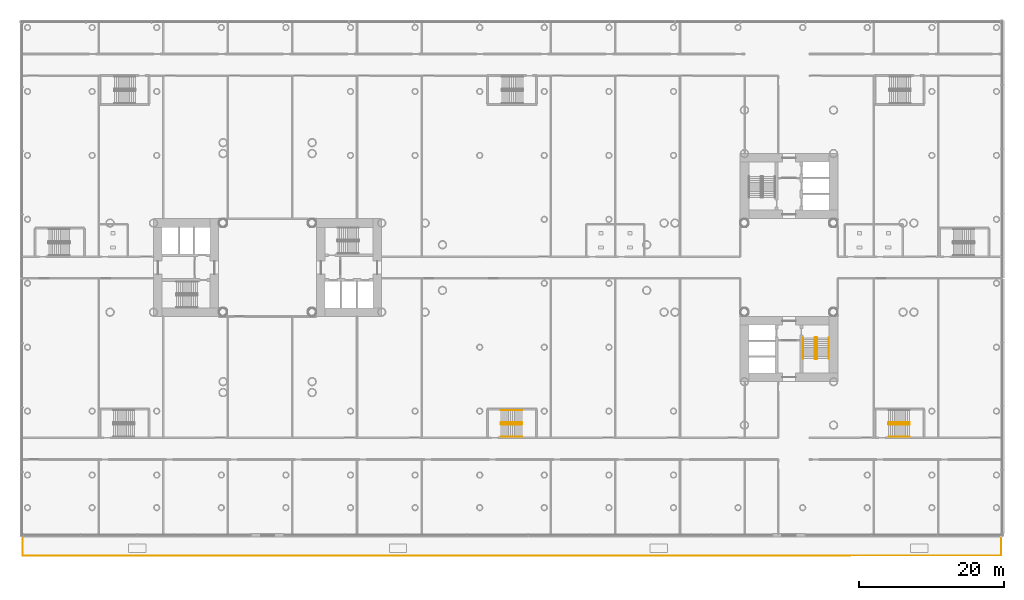
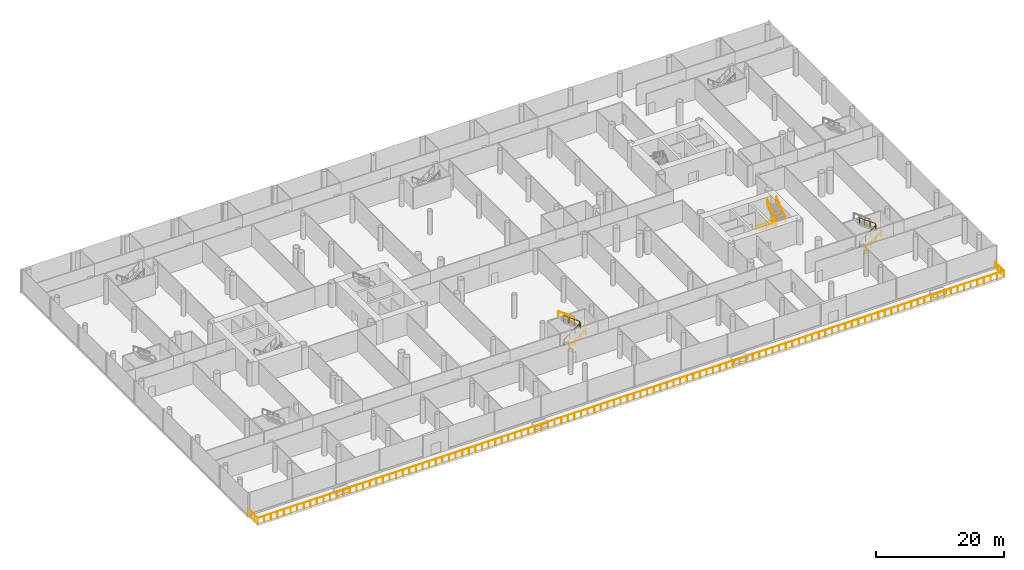
# One storey, part 47 of 49: 9 railings.
"""IFC4 building model written with IfcOpenShell, lengths in metres."""

from ifc_helpers import new_model, si_unit, direction, frame, origin, origin_2d, place, context, subcontext, project, spatial, circle, extrude, material, type_object, element, save


model = new_model("IFC4")

# Units and contexts
model_context = context("Model", 3, precision=1e-05, world=origin(), true_north=direction((0.0, 1.0)))
body_context = subcontext(model_context, "Body", "Model", "MODEL_VIEW")
ifc_project = project(units=[si_unit("LENGTHUNIT", "METRE"), si_unit("AREAUNIT", "SQUARE_METRE"), si_unit("VOLUMEUNIT", "CUBIC_METRE"), si_unit("PLANEANGLEUNIT", "RADIAN"), si_unit("MASSUNIT", "GRAM", prefix="KILO")], contexts=[model_context])

# Site, building, storey
site_placement = place(None, origin())
site = spatial("IfcSite", under=ifc_project, at=site_placement, CompositionType="ELEMENT")
building_placement = place(site_placement, origin())
building = spatial("IfcBuilding", under=site, at=building_placement, Name="Ipe Terrace Towers", CompositionType="ELEMENT")
storey_placement = place(building_placement, frame((0.0, 0.0, 11.0)))
storey = spatial("IfcBuildingStorey", under=building, at=storey_placement, Name="L02", CompositionType="ELEMENT", Elevation=11.0)

# Railings
ifc_material_1 = material(Name="Stainless steel S316", Category="steel")
railing_type_1 = type_object("IfcRailingType", Name="ROOF GUARD 1200", PredefinedType="BALUSTRADE", material=ifc_material_1)
railing_1_placement = place(storey_placement, frame((65.300048828125, -37.070068359375, -0.02001953125)))
element("IfcRailing", 1, at=railing_1_placement, inside=storey, type_object=railing_type_1, Name="roof guard", PredefinedType="BALUSTRADE", context=body_context, shape_type="SweptSolid", body=[
    extrude(circle(Radius=0.02392578125, at=origin_2d()), frame((0.0, 0.0, 1.17578125), z_axis=(0.0, -1.0, 0.0), x_axis=(1.0, 0.0, 0.0)), (0.0, 0.0, 1.0), 2.72998046875),
    extrude(circle(Radius=0.02392578125, at=origin_2d()), frame((0.0, -2.72998046875, 1.17578125), z_axis=(-1.0, 0.0, 0.0), x_axis=(0.0, -1.0, 0.0)), (0.0, 0.0, 1.0), 135.10009765625),
    extrude(circle(Radius=0.02392578125, at=origin_2d()), frame((-135.10009765625, -2.72998046875, 1.17578125), z_axis=(0.0, 1.0, 0.0), x_axis=(-1.0, 0.0, 0.0)), (0.0, 0.0, 1.0), 2.72998046875),
    extrude(circle(Radius=0.02099609375, at=origin_2d()), origin(), (0.0, 0.0, 1.0), 1.15185546875),
    extrude(circle(Radius=0.02099609375, at=origin_2d()), frame((0.0, -0.909912109375, 0.0)), (0.0, 0.0, 1.0), 1.15185546875),
    extrude(circle(Radius=0.02099609375, at=origin_2d()), frame((0.0, -1.820068359375, 0.0)), (0.0, 0.0, 1.0), 1.15185546875),
    extrude(circle(Radius=0.02099609375, at=origin_2d()), frame((0.0, -2.72998046875, 0.0)), (0.0, 0.0, 1.0), 1.15185546875),
    extrude(circle(Radius=0.02099609375, at=origin_2d()), frame((-1.195556640625, -2.72998046875, 0.0)), (0.0, 0.0, 1.0), 1.15185546875),
    extrude(circle(Radius=0.02099609375, at=origin_2d()), frame((-2.39111328125, -2.72998046875, 0.0)), (0.0, 0.0, 1.0), 1.15185546875),
    extrude(circle(Radius=0.02099609375, at=origin_2d()), frame((-3.586669921875, -2.72998046875, 0.0)), (0.0, 0.0, 1.0), 1.15185546875),
    extrude(circle(Radius=0.02099609375, at=origin_2d()), frame((-4.7822265625, -2.72998046875, 0.0)), (0.0, 0.0, 1.0), 1.15185546875),
    extrude(circle(Radius=0.02099609375, at=origin_2d()), frame((-5.977783203125, -2.72998046875, 0.0)), (0.0, 0.0, 1.0), 1.15185546875),
    extrude(circle(Radius=0.02099609375, at=origin_2d()), frame((-7.17333984375, -2.72998046875, 0.0)), (0.0, 0.0, 1.0), 1.15185546875),
    extrude(circle(Radius=0.02099609375, at=origin_2d()), frame((-8.369140625, -2.72998046875, 0.0)), (0.0, 0.0, 1.0), 1.15185546875),
    extrude(circle(Radius=0.02099609375, at=origin_2d()), frame((-9.564697265625, -2.72998046875, 0.0)), (0.0, 0.0, 1.0), 1.15185546875),
    extrude(circle(Radius=0.02099609375, at=origin_2d()), frame((-10.76025390625, -2.72998046875, 0.0)), (0.0, 0.0, 1.0), 1.15185546875),
    extrude(circle(Radius=0.02099609375, at=origin_2d()), frame((-11.955810546875, -2.72998046875, 0.0)), (0.0, 0.0, 1.0), 1.15185546875),
    extrude(circle(Radius=0.02099609375, at=origin_2d()), frame((-13.1513671875, -2.72998046875, 0.0)), (0.0, 0.0, 1.0), 1.15185546875),
    extrude(circle(Radius=0.02099609375, at=origin_2d()), frame((-14.346923828125, -2.72998046875, 0.0)), (0.0, 0.0, 1.0), 1.15185546875),
    extrude(circle(Radius=0.02099609375, at=origin_2d()), frame((-15.54248046875, -2.72998046875, 0.0)), (0.0, 0.0, 1.0), 1.15185546875),
    extrude(circle(Radius=0.02099609375, at=origin_2d()), frame((-16.738037109375, -2.72998046875, 0.0)), (0.0, 0.0, 1.0), 1.15185546875),
    extrude(circle(Radius=0.02099609375, at=origin_2d()), frame((-17.93359375, -2.72998046875, 0.0)), (0.0, 0.0, 1.0), 1.15185546875),
    extrude(circle(Radius=0.02099609375, at=origin_2d()), frame((-19.129150390625, -2.72998046875, 0.0)), (0.0, 0.0, 1.0), 1.15185546875),
    extrude(circle(Radius=0.02099609375, at=origin_2d()), frame((-20.32470703125, -2.72998046875, 0.0)), (0.0, 0.0, 1.0), 1.15185546875),
    extrude(circle(Radius=0.02099609375, at=origin_2d()), frame((-21.520263671875, -2.72998046875, 0.0)), (0.0, 0.0, 1.0), 1.15185546875),
    extrude(circle(Radius=0.02099609375, at=origin_2d()), frame((-22.716064453125, -2.72998046875, 0.0)), (0.0, 0.0, 1.0), 1.15185546875),
    extrude(circle(Radius=0.02099609375, at=origin_2d()), frame((-23.91162109375, -2.72998046875, 0.0)), (0.0, 0.0, 1.0), 1.15185546875),
    extrude(circle(Radius=0.02099609375, at=origin_2d()), frame((-25.107177734375, -2.72998046875, 0.0)), (0.0, 0.0, 1.0), 1.15185546875),
    extrude(circle(Radius=0.02099609375, at=origin_2d()), frame((-26.302734375, -2.72998046875, 0.0)), (0.0, 0.0, 1.0), 1.15185546875),
    extrude(circle(Radius=0.02099609375, at=origin_2d()), frame((-27.498291015625, -2.72998046875, 0.0)), (0.0, 0.0, 1.0), 1.15185546875),
    extrude(circle(Radius=0.02099609375, at=origin_2d()), frame((-28.69384765625, -2.72998046875, 0.0)), (0.0, 0.0, 1.0), 1.15185546875),
    extrude(circle(Radius=0.02099609375, at=origin_2d()), frame((-29.889404296875, -2.72998046875, 0.0)), (0.0, 0.0, 1.0), 1.15185546875),
    extrude(circle(Radius=0.02099609375, at=origin_2d()), frame((-31.0849609375, -2.72998046875, 0.0)), (0.0, 0.0, 1.0), 1.15185546875),
    extrude(circle(Radius=0.02099609375, at=origin_2d()), frame((-32.280517578125, -2.72998046875, 0.0)), (0.0, 0.0, 1.0), 1.15185546875),
    extrude(circle(Radius=0.02099609375, at=origin_2d()), frame((-33.47607421875, -2.72998046875, 0.0)), (0.0, 0.0, 1.0), 1.15185546875),
    extrude(circle(Radius=0.02099609375, at=origin_2d()), frame((-34.671630859375, -2.72998046875, 0.0)), (0.0, 0.0, 1.0), 1.15185546875),
    extrude(circle(Radius=0.02099609375, at=origin_2d()), frame((-35.8671875, -2.72998046875, 0.0)), (0.0, 0.0, 1.0), 1.15185546875),
    extrude(circle(Radius=0.02099609375, at=origin_2d()), frame((-37.062744140625, -2.72998046875, 0.0)), (0.0, 0.0, 1.0), 1.15185546875),
    extrude(circle(Radius=0.02099609375, at=origin_2d()), frame((-38.258544921875, -2.72998046875, 0.0)), (0.0, 0.0, 1.0), 1.15185546875),
    extrude(circle(Radius=0.02099609375, at=origin_2d()), frame((-39.4541015625, -2.72998046875, 0.0)), (0.0, 0.0, 1.0), 1.15185546875),
    extrude(circle(Radius=0.02099609375, at=origin_2d()), frame((-40.649658203125, -2.72998046875, 0.0)), (0.0, 0.0, 1.0), 1.15185546875),
    extrude(circle(Radius=0.02099609375, at=origin_2d()), frame((-41.84521484375, -2.72998046875, 0.0)), (0.0, 0.0, 1.0), 1.15185546875),
    extrude(circle(Radius=0.02099609375, at=origin_2d()), frame((-43.040771484375, -2.72998046875, 0.0)), (0.0, 0.0, 1.0), 1.15185546875),
    extrude(circle(Radius=0.02099609375, at=origin_2d()), frame((-44.236328125, -2.72998046875, 0.0)), (0.0, 0.0, 1.0), 1.15185546875),
    extrude(circle(Radius=0.02099609375, at=origin_2d()), frame((-45.431884765625, -2.72998046875, 0.0)), (0.0, 0.0, 1.0), 1.15185546875),
    extrude(circle(Radius=0.02099609375, at=origin_2d()), frame((-46.62744140625, -2.72998046875, 0.0)), (0.0, 0.0, 1.0), 1.15185546875),
    extrude(circle(Radius=0.02099609375, at=origin_2d()), frame((-47.822998046875, -2.72998046875, 0.0)), (0.0, 0.0, 1.0), 1.15185546875),
    extrude(circle(Radius=0.02099609375, at=origin_2d()), frame((-49.0185546875, -2.72998046875, 0.0)), (0.0, 0.0, 1.0), 1.15185546875),
    extrude(circle(Radius=0.02099609375, at=origin_2d()), frame((-50.214111328125, -2.72998046875, 0.0)), (0.0, 0.0, 1.0), 1.15185546875),
    extrude(circle(Radius=0.02099609375, at=origin_2d()), frame((-51.40966796875, -2.72998046875, 0.0)), (0.0, 0.0, 1.0), 1.15185546875),
    extrude(circle(Radius=0.02099609375, at=origin_2d()), frame((-52.60546875, -2.72998046875, 0.0)), (0.0, 0.0, 1.0), 1.15185546875),
    extrude(circle(Radius=0.02099609375, at=origin_2d()), frame((-53.801025390625, -2.72998046875, 0.0)), (0.0, 0.0, 1.0), 1.15185546875),
    extrude(circle(Radius=0.02099609375, at=origin_2d()), frame((-54.99658203125, -2.72998046875, 0.0)), (0.0, 0.0, 1.0), 1.15185546875),
    extrude(circle(Radius=0.02099609375, at=origin_2d()), frame((-56.192138671875, -2.72998046875, 0.0)), (0.0, 0.0, 1.0), 1.15185546875),
    extrude(circle(Radius=0.02099609375, at=origin_2d()), frame((-57.3876953125, -2.72998046875, 0.0)), (0.0, 0.0, 1.0), 1.15185546875),
    extrude(circle(Radius=0.02099609375, at=origin_2d()), frame((-58.583251953125, -2.72998046875, 0.0)), (0.0, 0.0, 1.0), 1.15185546875),
    extrude(circle(Radius=0.02099609375, at=origin_2d()), frame((-59.77880859375, -2.72998046875, 0.0)), (0.0, 0.0, 1.0), 1.15185546875),
    extrude(circle(Radius=0.02099609375, at=origin_2d()), frame((-60.974365234375, -2.72998046875, 0.0)), (0.0, 0.0, 1.0), 1.15185546875),
    extrude(circle(Radius=0.02099609375, at=origin_2d()), frame((-62.169921875, -2.72998046875, 0.0)), (0.0, 0.0, 1.0), 1.15185546875),
    extrude(circle(Radius=0.02099609375, at=origin_2d()), frame((-63.365478515625, -2.72998046875, 0.0)), (0.0, 0.0, 1.0), 1.15185546875),
    extrude(circle(Radius=0.02099609375, at=origin_2d()), frame((-64.56103515625, -2.72998046875, 0.0)), (0.0, 0.0, 1.0), 1.15185546875),
    extrude(circle(Radius=0.02099609375, at=origin_2d()), frame((-65.756591796875, -2.72998046875, 0.0)), (0.0, 0.0, 1.0), 1.15185546875),
    extrude(circle(Radius=0.02099609375, at=origin_2d()), frame((-66.9521484375, -2.72998046875, 0.0)), (0.0, 0.0, 1.0), 1.15185546875),
    extrude(circle(Radius=0.02099609375, at=origin_2d()), frame((-68.14794921875, -2.72998046875, 0.0)), (0.0, 0.0, 1.0), 1.15185546875),
    extrude(circle(Radius=0.02099609375, at=origin_2d()), frame((-69.343505859375, -2.72998046875, 0.0)), (0.0, 0.0, 1.0), 1.15185546875),
    extrude(circle(Radius=0.02099609375, at=origin_2d()), frame((-70.5390625, -2.72998046875, 0.0)), (0.0, 0.0, 1.0), 1.15185546875),
    extrude(circle(Radius=0.02099609375, at=origin_2d()), frame((-71.734619140625, -2.72998046875, 0.0)), (0.0, 0.0, 1.0), 1.15185546875),
    extrude(circle(Radius=0.02099609375, at=origin_2d()), frame((-72.93017578125, -2.72998046875, 0.0)), (0.0, 0.0, 1.0), 1.15185546875),
    extrude(circle(Radius=0.02099609375, at=origin_2d()), frame((-74.125732421875, -2.72998046875, 0.0)), (0.0, 0.0, 1.0), 1.15185546875),
    extrude(circle(Radius=0.02099609375, at=origin_2d()), frame((-75.3212890625, -2.72998046875, 0.0)), (0.0, 0.0, 1.0), 1.15185546875),
    extrude(circle(Radius=0.02099609375, at=origin_2d()), frame((-76.516845703125, -2.72998046875, 0.0)), (0.0, 0.0, 1.0), 1.15185546875),
    extrude(circle(Radius=0.02099609375, at=origin_2d()), frame((-77.71240234375, -2.72998046875, 0.0)), (0.0, 0.0, 1.0), 1.15185546875),
    extrude(circle(Radius=0.02099609375, at=origin_2d()), frame((-78.907958984375, -2.72998046875, 0.0)), (0.0, 0.0, 1.0), 1.15185546875),
    extrude(circle(Radius=0.02099609375, at=origin_2d()), frame((-80.103515625, -2.72998046875, 0.0)), (0.0, 0.0, 1.0), 1.15185546875),
    extrude(circle(Radius=0.02099609375, at=origin_2d()), frame((-81.299072265625, -2.72998046875, 0.0)), (0.0, 0.0, 1.0), 1.15185546875),
    extrude(circle(Radius=0.02099609375, at=origin_2d()), frame((-82.49462890625, -2.72998046875, 0.0)), (0.0, 0.0, 1.0), 1.15185546875),
    extrude(circle(Radius=0.02099609375, at=origin_2d()), frame((-83.6904296875, -2.72998046875, 0.0)), (0.0, 0.0, 1.0), 1.15185546875),
    extrude(circle(Radius=0.02099609375, at=origin_2d()), frame((-84.885986328125, -2.72998046875, 0.0)), (0.0, 0.0, 1.0), 1.15185546875),
    extrude(circle(Radius=0.02099609375, at=origin_2d()), frame((-86.08154296875, -2.72998046875, 0.0)), (0.0, 0.0, 1.0), 1.15185546875),
    extrude(circle(Radius=0.02099609375, at=origin_2d()), frame((-87.277099609375, -2.72998046875, 0.0)), (0.0, 0.0, 1.0), 1.15185546875),
    extrude(circle(Radius=0.02099609375, at=origin_2d()), frame((-88.47265625, -2.72998046875, 0.0)), (0.0, 0.0, 1.0), 1.15185546875),
    extrude(circle(Radius=0.02099609375, at=origin_2d()), frame((-89.668212890625, -2.72998046875, 0.0)), (0.0, 0.0, 1.0), 1.15185546875),
    extrude(circle(Radius=0.02099609375, at=origin_2d()), frame((-90.86376953125, -2.72998046875, 0.0)), (0.0, 0.0, 1.0), 1.15185546875),
    extrude(circle(Radius=0.02099609375, at=origin_2d()), frame((-92.059326171875, -2.72998046875, 0.0)), (0.0, 0.0, 1.0), 1.15185546875),
    extrude(circle(Radius=0.02099609375, at=origin_2d()), frame((-93.2548828125, -2.72998046875, 0.0)), (0.0, 0.0, 1.0), 1.15185546875),
    extrude(circle(Radius=0.02099609375, at=origin_2d()), frame((-94.450439453125, -2.72998046875, 0.0)), (0.0, 0.0, 1.0), 1.15185546875),
    extrude(circle(Radius=0.02099609375, at=origin_2d()), frame((-95.64599609375, -2.72998046875, 0.0)), (0.0, 0.0, 1.0), 1.15185546875),
    extrude(circle(Radius=0.02099609375, at=origin_2d()), frame((-96.841552734375, -2.72998046875, 0.0)), (0.0, 0.0, 1.0), 1.15185546875),
    extrude(circle(Radius=0.02099609375, at=origin_2d()), frame((-98.037353515625, -2.72998046875, 0.0)), (0.0, 0.0, 1.0), 1.15185546875),
    extrude(circle(Radius=0.02099609375, at=origin_2d()), frame((-99.23291015625, -2.72998046875, 0.0)), (0.0, 0.0, 1.0), 1.15185546875),
    extrude(circle(Radius=0.02099609375, at=origin_2d()), frame((-100.428466796875, -2.72998046875, 0.0)), (0.0, 0.0, 1.0), 1.15185546875),
    extrude(circle(Radius=0.02099609375, at=origin_2d()), frame((-101.6240234375, -2.72998046875, 0.0)), (0.0, 0.0, 1.0), 1.15185546875),
    extrude(circle(Radius=0.02099609375, at=origin_2d()), frame((-102.819580078125, -2.72998046875, 0.0)), (0.0, 0.0, 1.0), 1.15185546875),
    extrude(circle(Radius=0.02099609375, at=origin_2d()), frame((-104.01513671875, -2.72998046875, 0.0)), (0.0, 0.0, 1.0), 1.15185546875),
    extrude(circle(Radius=0.02099609375, at=origin_2d()), frame((-105.210693359375, -2.72998046875, 0.0)), (0.0, 0.0, 1.0), 1.15185546875),
    extrude(circle(Radius=0.02099609375, at=origin_2d()), frame((-106.40625, -2.72998046875, 0.0)), (0.0, 0.0, 1.0), 1.15185546875),
    extrude(circle(Radius=0.02099609375, at=origin_2d()), frame((-107.601806640625, -2.72998046875, 0.0)), (0.0, 0.0, 1.0), 1.15185546875),
    extrude(circle(Radius=0.02099609375, at=origin_2d()), frame((-108.79736328125, -2.72998046875, 0.0)), (0.0, 0.0, 1.0), 1.15185546875),
    extrude(circle(Radius=0.02099609375, at=origin_2d()), frame((-109.992919921875, -2.72998046875, 0.0)), (0.0, 0.0, 1.0), 1.15185546875),
    extrude(circle(Radius=0.02099609375, at=origin_2d()), frame((-111.1884765625, -2.72998046875, 0.0)), (0.0, 0.0, 1.0), 1.15185546875),
    extrude(circle(Radius=0.02099609375, at=origin_2d()), frame((-112.384033203125, -2.72998046875, 0.0)), (0.0, 0.0, 1.0), 1.15185546875),
    extrude(circle(Radius=0.02099609375, at=origin_2d()), frame((-113.579833984375, -2.72998046875, 0.0)), (0.0, 0.0, 1.0), 1.15185546875),
    extrude(circle(Radius=0.02099609375, at=origin_2d()), frame((-114.775390625, -2.72998046875, 0.0)), (0.0, 0.0, 1.0), 1.15185546875),
    extrude(circle(Radius=0.02099609375, at=origin_2d()), frame((-115.970947265625, -2.72998046875, 0.0)), (0.0, 0.0, 1.0), 1.15185546875),
    extrude(circle(Radius=0.02099609375, at=origin_2d()), frame((-117.16650390625, -2.72998046875, 0.0)), (0.0, 0.0, 1.0), 1.15185546875),
    extrude(circle(Radius=0.02099609375, at=origin_2d()), frame((-118.362060546875, -2.72998046875, 0.0)), (0.0, 0.0, 1.0), 1.15185546875),
    extrude(circle(Radius=0.02099609375, at=origin_2d()), frame((-119.5576171875, -2.72998046875, 0.0)), (0.0, 0.0, 1.0), 1.15185546875),
    extrude(circle(Radius=0.02099609375, at=origin_2d()), frame((-120.753173828125, -2.72998046875, 0.0)), (0.0, 0.0, 1.0), 1.15185546875),
    extrude(circle(Radius=0.02099609375, at=origin_2d()), frame((-121.94873046875, -2.72998046875, 0.0)), (0.0, 0.0, 1.0), 1.15185546875),
    extrude(circle(Radius=0.02099609375, at=origin_2d()), frame((-123.144287109375, -2.72998046875, 0.0)), (0.0, 0.0, 1.0), 1.15185546875),
    extrude(circle(Radius=0.02099609375, at=origin_2d()), frame((-124.33984375, -2.72998046875, 0.0)), (0.0, 0.0, 1.0), 1.15185546875),
    extrude(circle(Radius=0.02099609375, at=origin_2d()), frame((-125.535400390625, -2.72998046875, 0.0)), (0.0, 0.0, 1.0), 1.15185546875),
    extrude(circle(Radius=0.02099609375, at=origin_2d()), frame((-126.73095703125, -2.72998046875, 0.0)), (0.0, 0.0, 1.0), 1.15185546875),
    extrude(circle(Radius=0.02099609375, at=origin_2d()), frame((-127.9267578125, -2.72998046875, 0.0)), (0.0, 0.0, 1.0), 1.15185546875),
    extrude(circle(Radius=0.02099609375, at=origin_2d()), frame((-129.122314453125, -2.72998046875, 0.0)), (0.0, 0.0, 1.0), 1.15185546875),
    extrude(circle(Radius=0.02099609375, at=origin_2d()), frame((-130.31787109375, -2.72998046875, 0.0)), (0.0, 0.0, 1.0), 1.15185546875),
    extrude(circle(Radius=0.02099609375, at=origin_2d()), frame((-131.513427734375, -2.72998046875, 0.0)), (0.0, 0.0, 1.0), 1.15185546875),
    extrude(circle(Radius=0.02099609375, at=origin_2d()), frame((-132.708984375, -2.72998046875, 0.0)), (0.0, 0.0, 1.0), 1.15185546875),
    extrude(circle(Radius=0.02099609375, at=origin_2d()), frame((-133.904541015625, -2.72998046875, 0.0)), (0.0, 0.0, 1.0), 1.15185546875),
    extrude(circle(Radius=0.02099609375, at=origin_2d()), frame((-135.10009765625, -2.72998046875, 0.0)), (0.0, 0.0, 1.0), 1.15185546875),
    extrude(circle(Radius=0.02099609375, at=origin_2d()), frame((-135.10009765625, -1.820068359375, 0.0)), (0.0, 0.0, 1.0), 1.15185546875),
    extrude(circle(Radius=0.02099609375, at=origin_2d()), frame((-135.10009765625, -0.909912109375, 0.0)), (0.0, 0.0, 1.0), 1.15185546875),
    extrude(circle(Radius=0.02099609375, at=origin_2d()), frame((-135.10009765625, 0.0, 0.0)), (0.0, 0.0, 1.0), 1.15185546875),
])
ifc_material_2 = material(Name="Steel S355", Category="steel")
railing_type_2 = type_object("IfcRailingType", Name="Stair guard 1100", PredefinedType="GUARDRAIL", material=ifc_material_2)
railing_2_placement = place(storey_placement, frame((39.800048828125, -9.64990234375, 0.0)))
element("IfcRailing", 2, at=railing_2_placement, inside=storey, type_object=railing_type_2, Name="L02 T2-ST2 stair guard 1", PredefinedType="GUARDRAIL", context=body_context, shape_type="SweptSolid", body=[
    extrude(circle(Radius=0.02392578125, at=origin_2d()), frame((0.0, 0.0, 1.076171875), z_axis=(-1.0, 0.0, 0.0), x_axis=(0.0, -1.0, 0.0)), (0.0, 0.0, 1.0), 0.150146484375),
    extrude(circle(Radius=0.02392578125, at=origin_2d()), frame((-0.150146484375, 0.0, 1.076171875), z_axis=(-0.248583702486, -0.249802250048, 0.935844527007), x_axis=(0.708833529934, -0.705375805398, 0.0)), (0.0, 0.0, 1.0), 0.200439453125),
    extrude(circle(Radius=0.02392578125, at=origin_2d()), frame((-0.199951171875, -0.050048828125, 1.263671875), z_axis=(0.0, -0.811100754333, 0.584906459462), x_axis=(1.0, 0.0, 0.0)), (0.0, 0.0, 1.0), 3.526123046875),
    extrude(circle(Radius=0.02392578125, at=origin_2d()), frame((-0.199951171875, -2.91015625, 3.326171875), z_axis=(0.705375805398, -0.708833529934, 0.0), x_axis=(0.708833529934, 0.705375805398, 0.0)), (0.0, 0.0, 1.0), 0.070556640625),
    extrude(circle(Radius=0.02392578125, at=origin_2d()), frame((-0.150146484375, -2.960205078125, 3.326171875), z_axis=(1.0, 0.0, 0.0), x_axis=(0.0, 1.0, 0.0)), (0.0, 0.0, 1.0), 0.150146484375),
    extrude(circle(Radius=0.02392578125, at=origin_2d()), frame((0.0, -2.960205078125, 3.326171875), z_axis=(0.249726431254, 0.249726431254, 0.935560483917), x_axis=(-0.707106781187, 0.707106781187, 0.0)), (0.0, 0.0, 1.0), 0.200439453125),
    extrude(circle(Radius=0.02392578125, at=origin_2d()), frame((0.050048828125, -2.91015625, 3.513671875), z_axis=(0.0, 0.811100754333, 0.584906459462), x_axis=(-1.0, 0.0, 0.0)), (0.0, 0.0, 1.0), 3.526123046875),
    extrude(circle(Radius=0.02099609375, at=origin_2d()), origin(), (0.0, 0.0, 1.0), 1.052001953125),
    extrude(circle(Radius=0.02099609375, at=origin_2d()), frame((-0.150146484375, 0.0, 0.0)), (0.0, 0.0, 1.0), 1.052001953125),
    extrude(circle(Radius=0.02099609375, at=origin_2d()), frame((-0.199951171875, -0.050048828125, 0.1875)), (0.0, 0.0, 1.0), 1.052001953125),
    extrude(circle(Radius=0.02099609375, at=origin_2d()), frame((-0.199951171875, -1.00341796875, 0.875)), (0.0, 0.0, 1.0), 1.052001953125),
    extrude(circle(Radius=0.02099609375, at=origin_2d()), frame((-0.199951171875, -1.956787109375, 1.5625)), (0.0, 0.0, 1.0), 1.052001953125),
    extrude(circle(Radius=0.02099609375, at=origin_2d()), frame((-0.199951171875, -2.91015625, 2.25)), (0.0, 0.0, 1.0), 1.052001953125),
    extrude(circle(Radius=0.02099609375, at=origin_2d()), frame((-0.150146484375, -2.960205078125, 2.25)), (0.0, 0.0, 1.0), 1.052001953125),
    extrude(circle(Radius=0.02099609375, at=origin_2d()), frame((0.0, -2.960205078125, 2.25)), (0.0, 0.0, 1.0), 1.052001953125),
    extrude(circle(Radius=0.02099609375, at=origin_2d()), frame((0.050048828125, -2.91015625, 2.4375)), (0.0, 0.0, 1.0), 1.052001953125),
    extrude(circle(Radius=0.02099609375, at=origin_2d()), frame((0.050048828125, -1.956787109375, 3.125)), (0.0, 0.0, 1.0), 1.052001953125),
    extrude(circle(Radius=0.02099609375, at=origin_2d()), frame((0.050048828125, -1.00341796875, 3.8125)), (0.0, 0.0, 1.0), 1.052001953125),
    extrude(circle(Radius=0.02099609375, at=origin_2d()), frame((0.050048828125, -0.050048828125, 4.5)), (0.0, 0.0, 1.0), 1.052001953125),
])
railing_3_placement = place(storey_placement, frame((-3.800048828125, -21.449951171875, 0.0)))
element("IfcRailing", 3, at=railing_3_placement, inside=storey, type_object=railing_type_2, Name="L02 PS5 stair guard 1", PredefinedType="GUARDRAIL", context=body_context, shape_type="SweptSolid", body=[
    extrude(circle(Radius=0.02392578125, at=origin_2d()), frame((0.0, 0.0, 1.076171875), z_axis=(0.0, -1.0, 0.0), x_axis=(1.0, 0.0, 0.0)), (0.0, 0.0, 1.0), 0.150146484375),
    extrude(circle(Radius=0.02392578125, at=origin_2d()), frame((0.0, -0.150146484375, 1.076171875), z_axis=(0.249802250048, -0.248583702486, 0.935844527007), x_axis=(0.705375805398, 0.708833529934, 0.0)), (0.0, 0.0, 1.0), 0.200439453125),
    extrude(circle(Radius=0.02392578125, at=origin_2d()), frame((0.050048828125, -0.199951171875, 1.263671875), z_axis=(0.811100754333, 0.0, 0.584906459462), x_axis=(0.0, 1.0, 0.0)), (0.0, 0.0, 1.0), 3.526123046875),
    extrude(circle(Radius=0.02392578125, at=origin_2d()), frame((2.91015625, -0.199951171875, 3.326171875), z_axis=(0.707106781187, 0.707106781187, 0.0), x_axis=(-0.707106781187, 0.707106781187, 0.0)), (0.0, 0.0, 1.0), 0.0703125),
    extrude(circle(Radius=0.02392578125, at=origin_2d()), frame((2.9599609375, -0.150146484375, 3.326171875), z_axis=(0.0, 1.0, 0.0), x_axis=(-1.0, 0.0, 0.0)), (0.0, 0.0, 1.0), 0.150146484375),
    extrude(circle(Radius=0.02392578125, at=origin_2d()), frame((2.9599609375, 0.0, 3.326171875), z_axis=(-0.248583702486, 0.249802250048, 0.935844527007), x_axis=(-0.708833529934, -0.705375805398, 0.0)), (0.0, 0.0, 1.0), 0.200439453125),
    extrude(circle(Radius=0.02392578125, at=origin_2d()), frame((2.91015625, 0.050048828125, 3.513671875), z_axis=(-0.811100754333, 0.0, 0.584906459462), x_axis=(0.0, -1.0, 0.0)), (0.0, 0.0, 1.0), 3.526123046875),
    extrude(circle(Radius=0.02099609375, at=origin_2d()), origin(), (0.0, 0.0, 1.0), 1.052001953125),
    extrude(circle(Radius=0.02099609375, at=origin_2d()), frame((0.0, -0.150146484375, 0.0)), (0.0, 0.0, 1.0), 1.052001953125),
    extrude(circle(Radius=0.02099609375, at=origin_2d()), frame((0.050048828125, -0.199951171875, 0.1875)), (0.0, 0.0, 1.0), 1.052001953125),
    extrude(circle(Radius=0.02099609375, at=origin_2d()), frame((1.00341796875, -0.199951171875, 0.875)), (0.0, 0.0, 1.0), 1.052001953125),
    extrude(circle(Radius=0.02099609375, at=origin_2d()), frame((1.956787109375, -0.199951171875, 1.5625)), (0.0, 0.0, 1.0), 1.052001953125),
    extrude(circle(Radius=0.02099609375, at=origin_2d()), frame((2.91015625, -0.199951171875, 2.25)), (0.0, 0.0, 1.0), 1.052001953125),
    extrude(circle(Radius=0.02099609375, at=origin_2d()), frame((2.9599609375, -0.150146484375, 2.25)), (0.0, 0.0, 1.0), 1.052001953125),
    extrude(circle(Radius=0.02099609375, at=origin_2d()), frame((2.9599609375, 0.0, 2.25)), (0.0, 0.0, 1.0), 1.052001953125),
    extrude(circle(Radius=0.02099609375, at=origin_2d()), frame((2.91015625, 0.050048828125, 2.4375)), (0.0, 0.0, 1.0), 1.052001953125),
    extrude(circle(Radius=0.02099609375, at=origin_2d()), frame((1.956787109375, 0.050048828125, 3.125)), (0.0, 0.0, 1.0), 1.052001953125),
    extrude(circle(Radius=0.02099609375, at=origin_2d()), frame((1.00341796875, 0.050048828125, 3.8125)), (0.0, 0.0, 1.0), 1.052001953125),
    extrude(circle(Radius=0.02099609375, at=origin_2d()), frame((0.050048828125, 0.050048828125, 4.5)), (0.0, 0.0, 1.0), 1.052001953125),
])
railing_4_placement = place(storey_placement, frame((49.719970703125, -21.449951171875, 0.0)))
element("IfcRailing", 4, at=railing_4_placement, inside=storey, type_object=railing_type_2, Name="L02 PS6 stair guard 1", PredefinedType="GUARDRAIL", context=body_context, shape_type="SweptSolid", body=[
    extrude(circle(Radius=0.02392578125, at=origin_2d()), frame((0.0, 0.0, 1.076171875), z_axis=(0.0, -1.0, 0.0), x_axis=(1.0, 0.0, 0.0)), (0.0, 0.0, 1.0), 0.150146484375),
    extrude(circle(Radius=0.02392578125, at=origin_2d()), frame((0.0, -0.150146484375, 1.076171875), z_axis=(0.249802250048, -0.248583702486, 0.935844527007), x_axis=(0.705375805398, 0.708833529934, 0.0)), (0.0, 0.0, 1.0), 0.200439453125),
    extrude(circle(Radius=0.02392578125, at=origin_2d()), frame((0.050048828125, -0.199951171875, 1.263671875), z_axis=(0.811077065594, 0.0, 0.584939307678), x_axis=(0.0, 1.0, 0.0)), (0.0, 0.0, 1.0), 3.526123046875),
    extrude(circle(Radius=0.02392578125, at=origin_2d()), frame((2.909912109375, -0.199951171875, 3.326171875), z_axis=(0.708833529934, 0.705375805398, 0.0), x_axis=(-0.705375805398, 0.708833529934, 0.0)), (0.0, 0.0, 1.0), 0.070556640625),
    extrude(circle(Radius=0.02392578125, at=origin_2d()), frame((2.9599609375, -0.150146484375, 3.326171875), z_axis=(0.0, 1.0, 0.0), x_axis=(-1.0, 0.0, 0.0)), (0.0, 0.0, 1.0), 0.150146484375),
    extrude(circle(Radius=0.02392578125, at=origin_2d()), frame((2.9599609375, 0.0, 3.326171875), z_axis=(-0.249726431254, 0.249726431254, 0.935560483917), x_axis=(-0.707106781187, -0.707106781187, 0.0)), (0.0, 0.0, 1.0), 0.200439453125),
    extrude(circle(Radius=0.02392578125, at=origin_2d()), frame((2.909912109375, 0.050048828125, 3.513671875), z_axis=(-0.811077065594, 0.0, 0.584939307678), x_axis=(0.0, -1.0, 0.0)), (0.0, 0.0, 1.0), 3.526123046875),
    extrude(circle(Radius=0.02099609375, at=origin_2d()), origin(), (0.0, 0.0, 1.0), 1.052001953125),
    extrude(circle(Radius=0.02099609375, at=origin_2d()), frame((0.0, -0.150146484375, 0.0)), (0.0, 0.0, 1.0), 1.052001953125),
    extrude(circle(Radius=0.02099609375, at=origin_2d()), frame((0.050048828125, -0.199951171875, 0.1875)), (0.0, 0.0, 1.0), 1.052001953125),
    extrude(circle(Radius=0.02099609375, at=origin_2d()), frame((1.00341796875, -0.199951171875, 0.875)), (0.0, 0.0, 1.0), 1.052001953125),
    extrude(circle(Radius=0.02099609375, at=origin_2d()), frame((1.95654296875, -0.199951171875, 1.5625)), (0.0, 0.0, 1.0), 1.052001953125),
    extrude(circle(Radius=0.02099609375, at=origin_2d()), frame((2.909912109375, -0.199951171875, 2.25)), (0.0, 0.0, 1.0), 1.052001953125),
    extrude(circle(Radius=0.02099609375, at=origin_2d()), frame((2.9599609375, -0.150146484375, 2.25)), (0.0, 0.0, 1.0), 1.052001953125),
    extrude(circle(Radius=0.02099609375, at=origin_2d()), frame((2.9599609375, 0.0, 2.25)), (0.0, 0.0, 1.0), 1.052001953125),
    extrude(circle(Radius=0.02099609375, at=origin_2d()), frame((2.909912109375, 0.050048828125, 2.4375)), (0.0, 0.0, 1.0), 1.052001953125),
    extrude(circle(Radius=0.02099609375, at=origin_2d()), frame((1.95654296875, 0.050048828125, 3.125)), (0.0, 0.0, 1.0), 1.052001953125),
    extrude(circle(Radius=0.02099609375, at=origin_2d()), frame((1.00341796875, 0.050048828125, 3.8125)), (0.0, 0.0, 1.0), 1.052001953125),
    extrude(circle(Radius=0.02099609375, at=origin_2d()), frame((0.050048828125, 0.050048828125, 4.5)), (0.0, 0.0, 1.0), 1.052001953125),
])
ifc_material_3 = material(Name="Stainless steel grade 304", Category="steel")
railing_type_3 = type_object("IfcRailingType", Name="Stair handrail 900", PredefinedType="HANDRAIL", material=ifc_material_3)
railing_5_placement = place(storey_placement, frame((37.949951171875, -9.699951171875, 0.1875)))
element("IfcRailing", 5, at=railing_5_placement, inside=storey, type_object=railing_type_3, Name="L02 T2-ST2 stair handrail 1", PredefinedType="HANDRAIL", context=body_context, shape_type="SweptSolid", body=[
    extrude(circle(Radius=0.02392578125, at=origin_2d()), frame((0.0, 0.0, 0.8759765625), z_axis=(0.0, -0.811100754333, 0.584906459462), x_axis=(1.0, 0.0, 0.0)), (0.0, 0.0, 1.0), 3.526123046875),
    extrude(circle(Radius=0.02099609375, at=origin_2d()), origin(), (0.0, 0.0, 1.0), 0.851806640625),
    extrude(circle(Radius=0.02099609375, at=origin_2d()), frame((0.0, -0.953369140625, 0.6875)), (0.0, 0.0, 1.0), 0.851806640625),
    extrude(circle(Radius=0.02099609375, at=origin_2d()), frame((0.0, -1.90673828125, 1.375)), (0.0, 0.0, 1.0), 0.851806640625),
    extrude(circle(Radius=0.02099609375, at=origin_2d()), frame((0.0, -2.860107421875, 2.0625)), (0.0, 0.0, 1.0), 0.851806640625),
])
railing_6_placement = place(storey_placement, frame((41.5, -12.56005859375, 2.4375)))
element("IfcRailing", 6, at=railing_6_placement, inside=storey, type_object=railing_type_3, Name="L02 T2-ST2 stair handrail 2", PredefinedType="HANDRAIL", context=body_context, shape_type="SweptSolid", body=[
    extrude(circle(Radius=0.02392578125, at=origin_2d()), frame((0.0, 0.0, 0.8759765625), z_axis=(0.0, 0.811100754333, 0.584906459462), x_axis=(-1.0, 0.0, 0.0)), (0.0, 0.0, 1.0), 3.526123046875),
    extrude(circle(Radius=0.02099609375, at=origin_2d()), origin(), (0.0, 0.0, 1.0), 0.851806640625),
    extrude(circle(Radius=0.02099609375, at=origin_2d()), frame((0.0, 0.953369140625, 0.6875)), (0.0, 0.0, 1.0), 0.851806640625),
    extrude(circle(Radius=0.02099609375, at=origin_2d()), frame((0.0, 1.90673828125, 1.375)), (0.0, 0.0, 1.0), 0.851806640625),
    extrude(circle(Radius=0.02099609375, at=origin_2d()), frame((0.0, 2.860107421875, 2.0625)), (0.0, 0.0, 1.0), 0.851806640625),
])
railing_7_placement = place(storey_placement, frame((-3.75, -23.35009765625, 0.1875)))
element("IfcRailing", 7, at=railing_7_placement, inside=storey, type_object=railing_type_3, Name="L02 PS5 stair handrail 1", PredefinedType="HANDRAIL", context=body_context, shape_type="SweptSolid", body=[
    extrude(circle(Radius=0.02392578125, at=origin_2d()), frame((0.0, 0.0, 0.8759765625), z_axis=(0.811100754333, 0.0, 0.584906459462), x_axis=(0.0, 1.0, 0.0)), (0.0, 0.0, 1.0), 3.526123046875),
    extrude(circle(Radius=0.02099609375, at=origin_2d()), origin(), (0.0, 0.0, 1.0), 0.851806640625),
    extrude(circle(Radius=0.02099609375, at=origin_2d()), frame((0.953369140625, 0.0, 0.6875)), (0.0, 0.0, 1.0), 0.851806640625),
    extrude(circle(Radius=0.02099609375, at=origin_2d()), frame((1.90673828125, 0.0, 1.375)), (0.0, 0.0, 1.0), 0.851806640625),
    extrude(circle(Radius=0.02099609375, at=origin_2d()), frame((2.860107421875, 0.0, 2.0625)), (0.0, 0.0, 1.0), 0.851806640625),
])
railing_8_placement = place(storey_placement, frame((-0.889892578125, -19.699951171875, 2.4375)))
element("IfcRailing", 8, at=railing_8_placement, inside=storey, type_object=railing_type_3, Name="L02 PS5 stair handrail 2", PredefinedType="HANDRAIL", context=body_context, shape_type="SweptSolid", body=[
    extrude(circle(Radius=0.02392578125, at=origin_2d()), frame((0.0, 0.0, 0.8759765625), z_axis=(-0.811100754333, 0.0, 0.584906459462), x_axis=(0.0, -1.0, 0.0)), (0.0, 0.0, 1.0), 3.526123046875),
    extrude(circle(Radius=0.02099609375, at=origin_2d()), origin(), (0.0, 0.0, 1.0), 0.851806640625),
    extrude(circle(Radius=0.02099609375, at=origin_2d()), frame((-0.953369140625, 0.0, 0.6875)), (0.0, 0.0, 1.0), 0.851806640625),
    extrude(circle(Radius=0.02099609375, at=origin_2d()), frame((-1.90673828125, 0.0, 1.375)), (0.0, 0.0, 1.0), 0.851806640625),
    extrude(circle(Radius=0.02099609375, at=origin_2d()), frame((-2.860107421875, 0.0, 2.0625)), (0.0, 0.0, 1.0), 0.851806640625),
])
railing_9_placement = place(storey_placement, frame((49.77001953125, -23.35009765625, 0.1875)))
element("IfcRailing", 9, at=railing_9_placement, inside=storey, type_object=railing_type_3, Name="L02 PS6 stair handrail 1", PredefinedType="HANDRAIL", context=body_context, shape_type="SweptSolid", body=[
    extrude(circle(Radius=0.02392578125, at=origin_2d()), frame((0.0, 0.0, 0.8759765625), z_axis=(0.811077065594, 0.0, 0.584939307678), x_axis=(0.0, 1.0, 0.0)), (0.0, 0.0, 1.0), 3.526123046875),
    extrude(circle(Radius=0.02099609375, at=origin_2d()), origin(), (0.0, 0.0, 1.0), 0.851806640625),
    extrude(circle(Radius=0.02099609375, at=origin_2d()), frame((0.953369140625, 0.0, 0.6875)), (0.0, 0.0, 1.0), 0.851806640625),
    extrude(circle(Radius=0.02099609375, at=origin_2d()), frame((1.906494140625, 0.0, 1.375)), (0.0, 0.0, 1.0), 0.851806640625),
    extrude(circle(Radius=0.02099609375, at=origin_2d()), frame((2.85986328125, 0.0, 2.0625)), (0.0, 0.0, 1.0), 0.851806640625),
])

save(model, "model.ifc")
